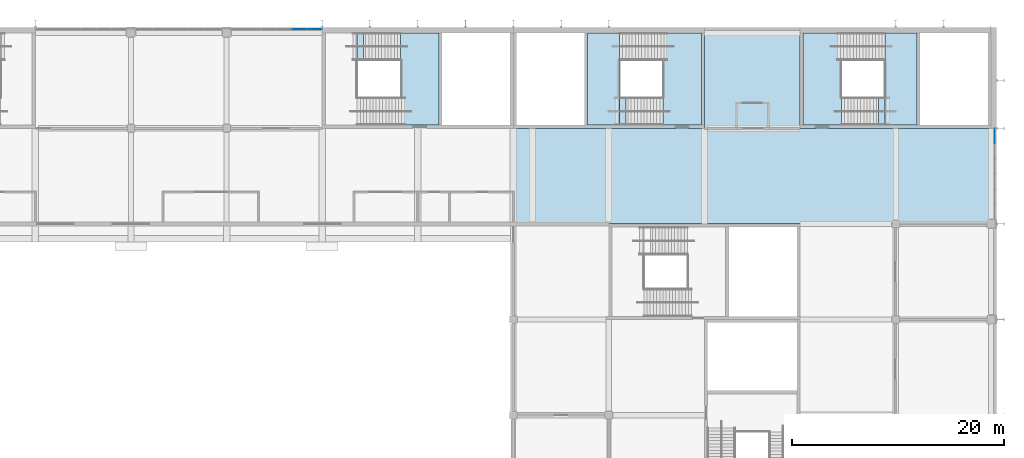
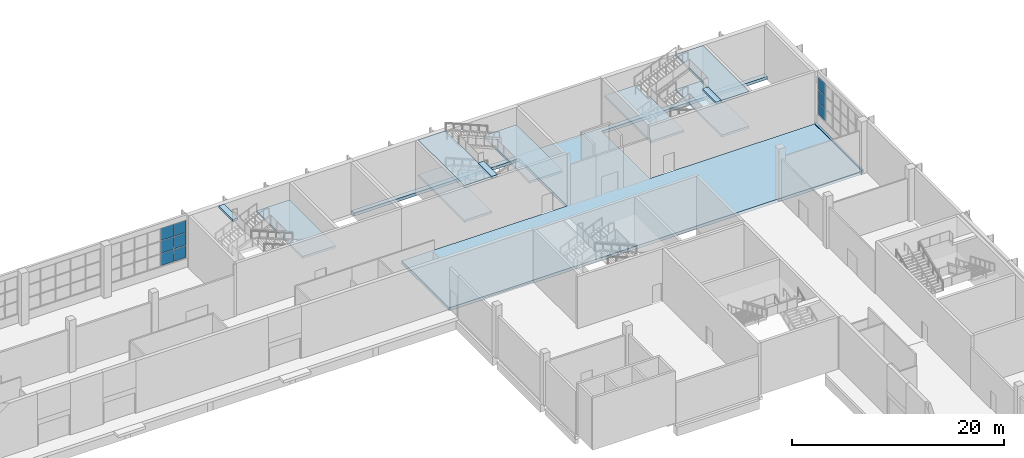
# One storey, part 37 of 89: 11 slabs, 9 plates, 5 elements without a shape of their own.
"""IFC4 building model written with IfcOpenShell, lengths in metres."""

from ifc_helpers import new_model, si_unit, direction, frame, origin, origin_2d, place, context, subcontext, project, spatial, polyline, rectangle, outline, extrude, material, layer, layer_set, type_object, element, aggregate, save


model = new_model("IFC4")

# Units and contexts
model_context = context("Model", 3, precision=1e-05, world=origin(), true_north=direction((0.0, 1.0)))
body_context = subcontext(model_context, "Body", "Model", "MODEL_VIEW")
ifc_project = project(units=[si_unit("LENGTHUNIT", "METRE"), si_unit("AREAUNIT", "SQUARE_METRE"), si_unit("VOLUMEUNIT", "CUBIC_METRE"), si_unit("PLANEANGLEUNIT", "RADIAN"), si_unit("MASSUNIT", "GRAM", prefix="KILO")], contexts=[model_context])

# Site, building, storey
site_placement = place(None, origin())
site = spatial("IfcSite", under=ifc_project, at=site_placement, CompositionType="ELEMENT")
building_placement = place(site_placement, origin())
building = spatial("IfcBuilding", under=site, at=building_placement, Name="Silverbay Arena", CompositionType="ELEMENT")
storey_placement = place(building_placement, frame((0.0, 0.0, 22.0)))
storey = spatial("IfcBuildingStorey", under=building, at=storey_placement, Name="L03", CompositionType="ELEMENT", Elevation=22.0)

# Curtain wall, plates
ifc_material_1 = material(Name="Aluminium framed curtain wall", Category="aluminium")
curtain_wall_type = type_object("IfcCurtainWallType", Name="Curtain wall 8600 x 4400", PredefinedType="NOTDEFINED", material=ifc_material_1)
curtain_wall_1_placement = place(storey_placement, origin())
curtain_wall_1 = element("IfcCurtainWall", 1, at=curtain_wall_1_placement, inside=storey, type_object=curtain_wall_type, Name="East curtain wall L03 bay 13", PredefinedType="NOTDEFINED")
ifc_material_2 = material(Name="Laminated glass", Category="glass")
ifc_layer_1 = layer(ifc_material_2, 0.028076171875)
ifc_layer_set_1 = layer_set([ifc_layer_1], Name="Laminated glass")
plate_type = type_object("IfcPlateType", Name="Glass panel 28", PredefinedType="CURTAIN_PANEL", material=ifc_layer_set_1)
plate_1_placement = place(storey_placement, frame((207.330078125, 134.268310546875, 1.050048828125), z_axis=(0.0, 0.0, 1.0), x_axis=(0.0, 1.0, 0.0)))
plate_1 = element("IfcPlate", 2, at=plate_1_placement, type_object=plate_type, Name="CW12 panel 6.1", PredefinedType="CURTAIN_PANEL", context=body_context, shape_type="SweptSolid", body=[
    extrude(rectangle(XDim=1.34326171875, YDim=0.028076171875, at=origin_2d()), origin(), (0.0, 0.0, 1.0), 1.3916015625),
])
plate_2_placement = place(storey_placement, frame((207.330078125, 134.268310546875, 2.49169921875), z_axis=(0.0, 0.0, 1.0), x_axis=(0.0, 1.0, 0.0)))
plate_2 = element("IfcPlate", 3, at=plate_2_placement, type_object=plate_type, Name="CW12 panel 6.2", PredefinedType="CURTAIN_PANEL", context=body_context, shape_type="SweptSolid", body=[
    extrude(rectangle(XDim=1.34326171875, YDim=0.028076171875, at=origin_2d()), origin(), (0.0, 0.0, 1.0), 1.416748046875),
])
plate_3_placement = place(storey_placement, frame((207.330078125, 134.268310546875, 3.958251953125), z_axis=(0.0, 0.0, 1.0), x_axis=(0.0, 1.0, 0.0)))
plate_3 = element("IfcPlate", 4, at=plate_3_placement, type_object=plate_type, Name="CW12 panel 6.3", PredefinedType="CURTAIN_PANEL", context=body_context, shape_type="SweptSolid", body=[
    extrude(rectangle(XDim=1.34326171875, YDim=0.028076171875, at=origin_2d()), origin(), (0.0, 0.0, 1.0), 1.3916015625),
])
aggregate(curtain_wall_1, [plate_1, plate_2, plate_3])

curtain_wall_2_placement = place(storey_placement, origin())
curtain_wall_2 = element("IfcCurtainWall", 5, at=curtain_wall_2_placement, inside=storey, type_object=curtain_wall_type, Name="North curtain wall L03 bay 10", PredefinedType="NOTDEFINED")
plate_4_placement = place(storey_placement, frame((143.268310546875, 144.330078125, 1.050048828125), z_axis=(0.0, 0.0, 1.0), x_axis=(-1.0, 0.0, 0.0)))
plate_4 = element("IfcPlate", 6, at=plate_4_placement, type_object=plate_type, Name="CW12 panel 1.1", PredefinedType="CURTAIN_PANEL", context=body_context, shape_type="SweptSolid", body=[
    extrude(rectangle(XDim=1.34326171875, YDim=0.028076171875, at=origin_2d()), origin(), (0.0, 0.0, 1.0), 1.3916015625),
])
plate_5_placement = place(storey_placement, frame((143.268310546875, 144.330078125, 2.49169921875), z_axis=(0.0, 0.0, 1.0), x_axis=(-1.0, 0.0, 0.0)))
plate_5 = element("IfcPlate", 7, at=plate_5_placement, type_object=plate_type, Name="CW12 panel 1.2", PredefinedType="CURTAIN_PANEL", context=body_context, shape_type="SweptSolid", body=[
    extrude(rectangle(XDim=1.34326171875, YDim=0.028076171875, at=origin_2d()), origin(), (0.0, 0.0, 1.0), 1.416748046875),
])
plate_6_placement = place(storey_placement, frame((143.268310546875, 144.330078125, 3.958251953125), z_axis=(0.0, 0.0, 1.0), x_axis=(-1.0, 0.0, 0.0)))
plate_6 = element("IfcPlate", 8, at=plate_6_placement, type_object=plate_type, Name="CW12 panel 1.3", PredefinedType="CURTAIN_PANEL", context=body_context, shape_type="SweptSolid", body=[
    extrude(rectangle(XDim=1.34326171875, YDim=0.028076171875, at=origin_2d()), origin(), (0.0, 0.0, 1.0), 1.3916015625),
])
plate_7_placement = place(storey_placement, frame((141.85009765625, 144.330078125, 1.050048828125), z_axis=(0.0, 0.0, 1.0), x_axis=(-1.0, 0.0, 0.0)))
plate_7 = element("IfcPlate", 9, at=plate_7_placement, type_object=plate_type, Name="CW12 panel 2.1", PredefinedType="CURTAIN_PANEL", context=body_context, shape_type="SweptSolid", body=[
    extrude(rectangle(XDim=1.373291015625, YDim=0.028076171875, at=origin_2d()), origin(), (0.0, 0.0, 1.0), 1.3916015625),
])
plate_8_placement = place(storey_placement, frame((141.85009765625, 144.330078125, 2.49169921875), z_axis=(0.0, 0.0, 1.0), x_axis=(-1.0, 0.0, 0.0)))
plate_8 = element("IfcPlate", 10, at=plate_8_placement, type_object=plate_type, Name="CW12 panel 2.2", PredefinedType="CURTAIN_PANEL", context=body_context, shape_type="SweptSolid", body=[
    extrude(rectangle(XDim=1.373291015625, YDim=0.028076171875, at=origin_2d()), origin(), (0.0, 0.0, 1.0), 1.416748046875),
])
plate_9_placement = place(storey_placement, frame((141.85009765625, 144.330078125, 3.958251953125), z_axis=(0.0, 0.0, 1.0), x_axis=(-1.0, 0.0, 0.0)))
plate_9 = element("IfcPlate", 11, at=plate_9_placement, type_object=plate_type, Name="CW12 panel 2.3", PredefinedType="CURTAIN_PANEL", context=body_context, shape_type="SweptSolid", body=[
    extrude(rectangle(XDim=1.373291015625, YDim=0.028076171875, at=origin_2d()), origin(), (0.0, 0.0, 1.0), 1.3916015625),
])
aggregate(curtain_wall_2, [plate_4, plate_5, plate_6, plate_7, plate_8, plate_9])

# Slab
ifc_material_3 = material(Name="Concrete Grade C45", Category="concrete")
ifc_layer_2 = layer(ifc_material_3, 0.35009765625)
ifc_layer_set_2 = layer_set([ifc_layer_2], Name="Concrete Grade C45")
slab_type_1 = type_object("IfcSlabType", Name="RC floor slab 350", PredefinedType="FLOOR", material=ifc_layer_set_2)
slab_1_placement = place(storey_placement, frame((0.0, 0.0, -0.35009765625)))
element("IfcSlab", 12, at=slab_1_placement, inside=storey, type_object=slab_type_1, Name="Floor slab L03 unit 14", PredefinedType="FLOOR", context=body_context, shape_type="SweptSolid", body=[
    extrude(outline(polyline([(207.25, 134.675048828125), (207.175048828125, 134.675048828125), (207.175048828125, 126.199951171875), (207.0, 126.199951171875), (207.0, 134.925048828125), (206.925048828125, 134.925048828125), (206.925048828125, 126.02490234375), (162.0, 126.02490234375), (162.0, 135.0), (180.0, 135.0), (180.0, 144.0), (162.0, 144.0), (162.0, 144.5), (206.925048828125, 144.5), (206.925048828125, 144.574951171875), (207.0, 144.574951171875), (207.0, 143.925048828125), (206.925048828125, 143.925048828125), (206.925048828125, 144.0), (189.0, 144.0), (189.0, 135.0), (206.925048828125, 135.0), (206.925048828125, 135.074951171875), (207.0, 135.074951171875), (207.0, 135.25), (207.25, 135.25), (207.25, 134.675048828125)])), origin(), (0.0, 0.0, 1.0), 0.35009765625),
])

# Stair, slab
ifc_material_4 = material(Name="Concrete Grade C45", Category="concrete")
stair_type = type_object("IfcStairType", Name="Stair 2600 wide 48 risers 125.0 x 300", PredefinedType="HALF_TURN_STAIR", material=ifc_material_4)
stair_1_placement = place(storey_placement, origin())
stair_1 = element("IfcStair", 13, at=stair_1_placement, inside=storey, type_object=stair_type, Name="Stair ST-N3 L03 to L04", PredefinedType="HALF_TURN_STAIR")
ifc_material_5 = material(Name="Concrete Grade C45", Category="concrete")
ifc_layer_3 = layer(ifc_material_5, 0.25)
ifc_layer_set_3 = layer_set([ifc_layer_3], Name="Concrete Grade C45")
slab_type_2 = type_object("IfcSlabType", Name="Stair arrival platform RC 250", PredefinedType="FLOOR", material=ifc_layer_set_3)
slab_2_placement = place(storey_placement, frame((0.0, 0.0, 5.75)))
slab_2 = element("IfcSlab", 14, at=slab_2_placement, type_object=slab_type_2, Name="Stair ST-N3 L03 to L04 arrival platform 4", PredefinedType="FLOOR", context=body_context, shape_type="SweptSolid", body=[
    extrude(outline(polyline([(147.89990234375, 141.39990234375), (147.2900390625, 141.39990234375), (147.2900390625, 144.0), (147.89990234375, 144.0), (147.89990234375, 141.39990234375)])), origin(), (0.0, 0.0, 1.0), 0.25),
])

stair_2_placement = place(storey_placement, origin())
stair_2 = element("IfcStair", 15, at=stair_2_placement, inside=storey, type_object=stair_type, Name="Stair ST-N4 L03 to L04", PredefinedType="HALF_TURN_STAIR")
slab_3_placement = place(storey_placement, frame((0.0, 0.0, 5.75)))
slab_3 = element("IfcSlab", 16, at=slab_3_placement, type_object=slab_type_2, Name="Stair ST-N4 L03 to L04 arrival platform 4", PredefinedType="FLOOR", context=body_context, shape_type="SweptSolid", body=[
    extrude(outline(polyline([(172.60009765625, 135.300048828125), (171.989990234375, 135.300048828125), (171.989990234375, 137.89990234375), (172.60009765625, 137.89990234375), (172.60009765625, 135.300048828125)])), origin(), (0.0, 0.0, 1.0), 0.25),
])

stair_3_placement = place(storey_placement, origin())
stair_3 = element("IfcStair", 17, at=stair_3_placement, inside=storey, type_object=stair_type, Name="Stair ST-N6 L03 to L04", PredefinedType="HALF_TURN_STAIR")
slab_4_placement = place(storey_placement, frame((0.0, 0.0, 5.75)))
slab_4 = element("IfcSlab", 18, at=slab_4_placement, type_object=slab_type_2, Name="Stair ST-N6 L03 to L04 arrival platform 4", PredefinedType="FLOOR", context=body_context, shape_type="SweptSolid", body=[
    extrude(outline(polyline([(196.39990234375, 135.300048828125), (197.010009765625, 135.300048828125), (197.010009765625, 137.89990234375), (196.39990234375, 137.89990234375), (196.39990234375, 135.300048828125)])), origin(), (0.0, 0.0, 1.0), 0.25),
])

# Slab
ifc_material_6 = material(Name="Concrete Grade C45", Category="concrete")
ifc_layer_4 = layer(ifc_material_6, 0.25)
ifc_layer_set_4 = layer_set([ifc_layer_4], Name="Concrete Grade C45")
slab_type_3 = type_object("IfcSlabType", Name="Stair landing RC 250", PredefinedType="LANDING", material=ifc_layer_set_4)
slab_5_placement = place(storey_placement, frame((0.0, 0.0, 3.75)))
slab_5 = element("IfcSlab", 19, at=slab_5_placement, type_object=slab_type_3, Name="Stair ST-N3 L03 to L04 landing 2", PredefinedType="LANDING", context=body_context, shape_type="SweptSolid", body=[
    extrude(outline(polyline([(155.0, 135.300048828125), (151.39990234375, 135.300048828125), (151.39990234375, 144.0), (155.0, 144.0), (155.0, 135.300048828125)])), origin(), (0.0, 0.0, 1.0), 0.25),
])

aggregate(stair_1, [slab_5, slab_2])

slab_6_placement = place(storey_placement, frame((0.0, 0.0, 1.75)))
slab_6 = element("IfcSlab", 20, at=slab_6_placement, type_object=slab_type_3, Name="Stair ST-N4 L03 to L04 landing 1", PredefinedType="LANDING", context=body_context, shape_type="SweptSolid", body=[
    extrude(outline(polyline([(171.989990234375, 135.300048828125), (169.0, 135.300048828125), (169.0, 144.0), (171.989990234375, 144.0), (171.989990234375, 135.300048828125)])), origin(), (0.0, 0.0, 1.0), 0.25),
])

slab_7_placement = place(storey_placement, frame((0.0, 0.0, 3.75)))
slab_7 = element("IfcSlab", 21, at=slab_7_placement, type_object=slab_type_3, Name="Stair ST-N4 L03 to L04 landing 2", PredefinedType="LANDING", context=body_context, shape_type="SweptSolid", body=[
    extrude(outline(polyline([(179.699951171875, 135.300048828125), (176.10009765625, 135.300048828125), (176.10009765625, 144.0), (179.699951171875, 144.0), (179.699951171875, 135.300048828125)])), origin(), (0.0, 0.0, 1.0), 0.25),
])

slab_8_placement = place(storey_placement, frame((0.0, 0.0, 5.75)))
slab_8 = element("IfcSlab", 22, at=slab_8_placement, type_object=slab_type_3, Name="Stair ST-N4 L03 to L04 landing 3", PredefinedType="LANDING", context=body_context, shape_type="SweptSolid", body=[
    extrude(outline(polyline([(171.989990234375, 135.300048828125), (169.0, 135.300048828125), (169.0, 144.0), (171.989990234375, 144.0), (171.989990234375, 135.300048828125)])), origin(), (0.0, 0.0, 1.0), 0.25),
])

aggregate(stair_2, [slab_6, slab_7, slab_8, slab_3])

slab_9_placement = place(storey_placement, frame((0.0, 0.0, 1.75)))
slab_9 = element("IfcSlab", 23, at=slab_9_placement, type_object=slab_type_3, Name="Stair ST-N6 L03 to L04 landing 1", PredefinedType="LANDING", context=body_context, shape_type="SweptSolid", body=[
    extrude(outline(polyline([(197.010009765625, 135.300048828125), (200.0, 135.300048828125), (200.0, 144.0), (197.010009765625, 144.0), (197.010009765625, 135.300048828125)])), origin(), (0.0, 0.0, 1.0), 0.25),
])

slab_10_placement = place(storey_placement, frame((0.0, 0.0, 3.75)))
slab_10 = element("IfcSlab", 24, at=slab_10_placement, type_object=slab_type_3, Name="Stair ST-N6 L03 to L04 landing 2", PredefinedType="LANDING", context=body_context, shape_type="SweptSolid", body=[
    extrude(outline(polyline([(189.300048828125, 135.300048828125), (192.89990234375, 135.300048828125), (192.89990234375, 144.0), (189.300048828125, 144.0), (189.300048828125, 135.300048828125)])), origin(), (0.0, 0.0, 1.0), 0.25),
])

slab_11_placement = place(storey_placement, frame((0.0, 0.0, 5.75)))
slab_11 = element("IfcSlab", 25, at=slab_11_placement, type_object=slab_type_3, Name="Stair ST-N6 L03 to L04 landing 3", PredefinedType="LANDING", context=body_context, shape_type="SweptSolid", body=[
    extrude(outline(polyline([(197.010009765625, 135.300048828125), (200.0, 135.300048828125), (200.0, 144.0), (197.010009765625, 144.0), (197.010009765625, 135.300048828125)])), origin(), (0.0, 0.0, 1.0), 0.25),
])

aggregate(stair_3, [slab_9, slab_10, slab_11, slab_4])

save(model, "model.ifc")
